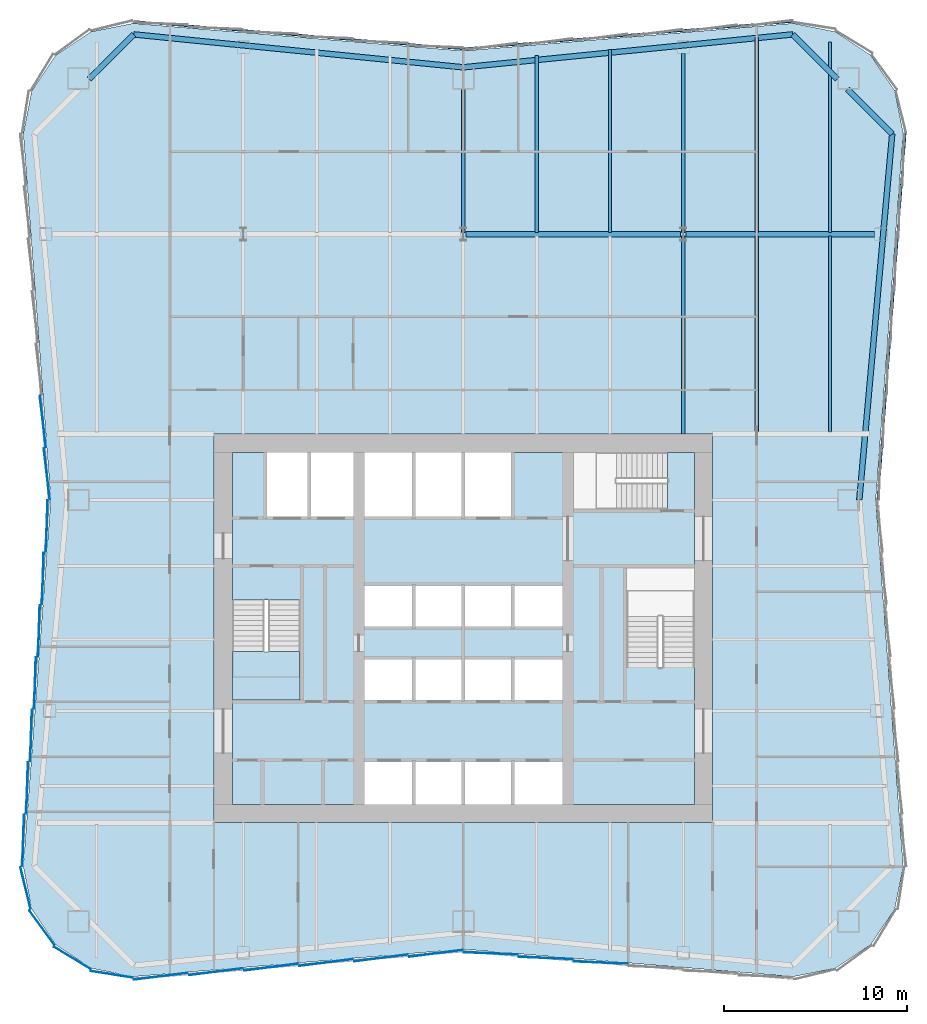
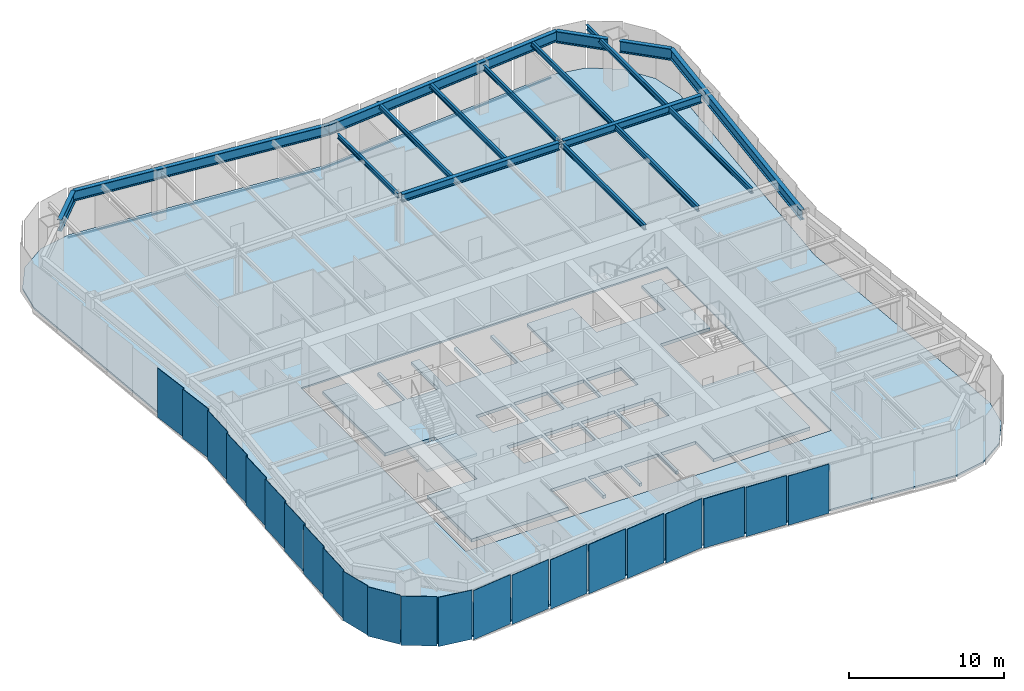
# One storey, part 2 of 8: 22 plates, 17 beams, 3 members, 3 slabs, 6 elements without a shape of their own.
"""IFC4 building model written with IfcOpenShell, lengths in metres."""

from ifc_helpers import new_model, si_unit, direction, frame, origin, origin_2d, place, context, subcontext, project, spatial, polyline, rectangle, i_section, outline, extrude, material, layer, layer_set, material_profile, profile_set, type_object, element, aggregate, save


model = new_model("IFC4")

# Units and contexts
model_context = context("Model", 3, precision=1e-05, world=origin(), true_north=direction((0.0, 1.0)))
body_context = subcontext(model_context, "Body", "Model", "MODEL_VIEW")
ifc_project = project(units=[si_unit("LENGTHUNIT", "METRE"), si_unit("AREAUNIT", "SQUARE_METRE"), si_unit("VOLUMEUNIT", "CUBIC_METRE"), si_unit("PLANEANGLEUNIT", "RADIAN"), si_unit("MASSUNIT", "GRAM", prefix="KILO")], contexts=[model_context])

# Site, building, storey
site_placement = place(None, origin())
site = spatial("IfcSite", under=ifc_project, at=site_placement, CompositionType="ELEMENT")
building_placement = place(site_placement, origin())
building = spatial("IfcBuilding", under=site, at=building_placement, Name="Verdant Reach Tower", CompositionType="ELEMENT")
storey_placement = place(building_placement, frame((0.0, 0.0, 134.0)))
storey = spatial("IfcBuildingStorey", under=building, at=storey_placement, Name="L30", CompositionType="ELEMENT", Elevation=134.0)

# Curtain wall, member
ifc_material_1 = material(Name="Anodised aluminium", Category="aluminium")
curtain_wall_type = type_object("IfcCurtainWallType", Name="EN-CW SYSTEM Z2", PredefinedType="NOTDEFINED", material=ifc_material_1)
curtain_wall_1_placement = place(storey_placement, origin())
curtain_wall_1 = element("IfcCurtainWall", 1, at=curtain_wall_1_placement, inside=storey, type_object=curtain_wall_type, Name="Curtain wall east, L30", PredefinedType="NOTDEFINED")
ifc_material_profile_1 = material_profile(ifc_material_1, rectangle(XDim=0.10009765625, YDim=0.1240234375, at=origin_2d()), Name="Transom 124x100")
ifc_profile_set_1 = profile_set([ifc_material_profile_1], Name="Anodised aluminium")
member_type = type_object("IfcMemberType", Name="EN-TRANSOM Z2", PredefinedType="USERDEFINED", material=ifc_profile_set_1)
member_1_placement = place(storey_placement, frame((22.6083984375, 35.031982421875, -0.2880859375), z_axis=(0.07476111665, 0.997201471839, 0.0), x_axis=(-0.997201471839, 0.07476111665, 0.0)))
member_1 = element("IfcMember", 2, at=member_1_placement, type_object=member_type, Name="Transom east face part 2 1.1, L30", ObjectType="TRANSOM", PredefinedType="USERDEFINED", context=body_context, shape_type="SweptSolid", body=[
    extrude(rectangle(XDim=0.10009765625, YDim=0.1240234375, at=origin_2d()), origin(), (0.0, 0.0, 1.0), 19.99853515625),
])
aggregate(curtain_wall_1, [member_1])

# Curtain wall, members
curtain_wall_2_placement = place(storey_placement, origin())
curtain_wall_2 = element("IfcCurtainWall", 3, at=curtain_wall_2_placement, inside=storey, type_object=curtain_wall_type, Name="Curtain wall north, L30", PredefinedType="NOTDEFINED")
member_2_placement = place(storey_placement, frame((17.97412109375, 61.103271484375, -0.2880859375), z_axis=(-0.996548282776, -0.083015179915, 0.0), x_axis=(0.083015179915, -0.996548282776, 0.0)))
member_2 = element("IfcMember", 4, at=member_2_placement, type_object=member_type, Name="Transom north face part 1 1.1, L30", ObjectType="TRANSOM", PredefinedType="USERDEFINED", context=body_context, shape_type="SweptSolid", body=[
    extrude(rectangle(XDim=0.10009765625, YDim=0.1240234375, at=origin_2d()), origin(), (0.0, 0.0, 1.0), 18.00439453125),
])
member_3_placement = place(storey_placement, frame((-0.031982421875, 59.608642578125, -0.2880859375), z_axis=(-0.996548282776, 0.083015179915, 0.0), x_axis=(-0.083015179915, -0.996548282776, 0.0)))
member_3 = element("IfcMember", 5, at=member_3_placement, type_object=member_type, Name="Transom north face part 2 1.1, L30", ObjectType="TRANSOM", PredefinedType="USERDEFINED", context=body_context, shape_type="SweptSolid", body=[
    extrude(rectangle(XDim=0.10009765625, YDim=0.1240234375, at=origin_2d()), origin(), (0.0, 0.0, 1.0), 18.00439453125),
])
aggregate(curtain_wall_2, [member_2, member_3])

# Beams
ifc_material_2 = material(Name="Steel S355", Category="steel")
ifc_material_profile_2 = material_profile(ifc_material_2, i_section(OverallWidth=0.300048828125, OverallDepth=0.60009765625, WebThickness=0.015380859375, FlangeThickness=0.030029296875, FilletRadius=0.027099609375, at=origin_2d()), Name="HEB 600")
ifc_profile_set_2 = profile_set([ifc_material_profile_2], Name="Steel S355")
beam_type_1 = type_object("IfcBeamType", Name="ST-BEAM-HEB600", PredefinedType="BEAM", material=ifc_profile_set_2)
beam_1_placement = place(storey_placement, frame((0.154052734375, 49.5, 3.570068359375), z_axis=(1.0, 0.0, 0.0), x_axis=(0.0, 1.0, 0.0)))
element("IfcBeam", 6, at=beam_1_placement, inside=storey, type_object=beam_type_1, Name="Row girder, L30", PredefinedType="BEAM", context=body_context, shape_type="SweptSolid", body=[
    extrude(i_section(OverallWidth=0.300048828125, OverallDepth=0.60009765625, WebThickness=0.015380859375, FlangeThickness=0.030029296875, FilletRadius=0.027099609375, at=origin_2d()), origin(), (0.0, 0.0, 1.0), 11.69189453125),
])
beam_2_placement = place(storey_placement, frame((12.154052734375, 49.5, 3.570068359375), z_axis=(1.0, 0.0, 0.0), x_axis=(0.0, 1.0, 0.0)))
element("IfcBeam", 7, at=beam_2_placement, inside=storey, type_object=beam_type_1, Name="Row girder, L30", PredefinedType="BEAM", context=body_context, shape_type="SweptSolid", body=[
    extrude(i_section(OverallWidth=0.300048828125, OverallDepth=0.60009765625, WebThickness=0.015380859375, FlangeThickness=0.030029296875, FilletRadius=0.027099609375, at=origin_2d()), origin(), (0.0, 0.0, 1.0), 10.283447265625),
])
ifc_material_profile_3 = material_profile(ifc_material_2, i_section(OverallWidth=0.169921875, OverallDepth=0.360107421875, WebThickness=0.008056640625, FlangeThickness=0.0126953125, FilletRadius=0.01806640625, at=origin_2d()), Name="IPE 360")
ifc_profile_set_3 = profile_set([ifc_material_profile_3], Name="Steel S355")
beam_type_2 = type_object("IfcBeamType", Name="ST-JOIST-IPE360", PredefinedType="JOIST", material=ifc_profile_set_3)
beam_3_placement = place(storey_placement, frame((0.0, 49.60009765625, 3.68994140625), z_axis=(0.0, 1.0, 0.0), x_axis=(-1.0, 0.0, 0.0)))
element("IfcBeam", 8, at=beam_3_placement, inside=storey, type_object=beam_type_2, Name="Floor joist, L30", PredefinedType="JOIST", context=body_context, shape_type="SweptSolid", body=[
    extrude(i_section(OverallWidth=0.169921875, OverallDepth=0.360107421875, WebThickness=0.008056640625, FlangeThickness=0.0126953125, FilletRadius=0.01806640625, at=origin_2d()), origin(), (0.0, 0.0, 1.0), 7.7998046875),
])
ifc_material_profile_4 = material_profile(ifc_material_2, i_section(OverallWidth=0.179931640625, OverallDepth=0.39990234375, WebThickness=0.008544921875, FlangeThickness=0.013427734375, FilletRadius=0.02099609375, at=origin_2d()), Name="IPE 400")
ifc_profile_set_4 = profile_set([ifc_material_profile_4], Name="Steel S355")
beam_type_3 = type_object("IfcBeamType", Name="ST-JOIST-IPE400", PredefinedType="JOIST", material=ifc_profile_set_4)
beam_4_placement = place(storey_placement, frame((4.0, 49.60009765625, 3.669921875), z_axis=(0.0, 1.0, 0.0), x_axis=(-1.0, 0.0, 0.0)))
element("IfcBeam", 9, at=beam_4_placement, inside=storey, type_object=beam_type_3, Name="Floor joist, L30", PredefinedType="JOIST", context=body_context, shape_type="SweptSolid", body=[
    extrude(i_section(OverallWidth=0.179931640625, OverallDepth=0.39990234375, WebThickness=0.008544921875, FlangeThickness=0.013427734375, FilletRadius=0.02099609375, at=origin_2d()), origin(), (0.0, 0.0, 1.0), 9.631103515625),
])
beam_5_placement = place(storey_placement, frame((8.0, 49.60009765625, 3.669921875), z_axis=(0.0, 1.0, 0.0), x_axis=(-1.0, 0.0, 0.0)))
element("IfcBeam", 10, at=beam_5_placement, inside=storey, type_object=beam_type_3, Name="Floor joist, L30", PredefinedType="JOIST", context=body_context, shape_type="SweptSolid", body=[
    extrude(i_section(OverallWidth=0.179931640625, OverallDepth=0.39990234375, WebThickness=0.008544921875, FlangeThickness=0.013427734375, FilletRadius=0.02099609375, at=origin_2d()), origin(), (0.0, 0.0, 1.0), 9.964599609375),
])
beam_6_placement = place(storey_placement, frame((12.0, 38.60009765625, 3.669921875), z_axis=(0.0, 1.0, 0.0), x_axis=(-1.0, 0.0, 0.0)))
element("IfcBeam", 11, at=beam_6_placement, inside=storey, type_object=beam_type_3, Name="Floor joist, L30", PredefinedType="JOIST", context=body_context, shape_type="SweptSolid", body=[
    extrude(i_section(OverallWidth=0.179931640625, OverallDepth=0.39990234375, WebThickness=0.008544921875, FlangeThickness=0.013427734375, FilletRadius=0.02099609375, at=origin_2d()), origin(), (0.0, 0.0, 1.0), 10.7998046875),
])
beam_7_placement = place(storey_placement, frame((12.0, 49.60009765625, 3.669921875), z_axis=(0.0, 1.0, 0.0), x_axis=(-1.0, 0.0, 0.0)))
element("IfcBeam", 12, at=beam_7_placement, inside=storey, type_object=beam_type_3, Name="Floor joist, L30", PredefinedType="JOIST", context=body_context, shape_type="SweptSolid", body=[
    extrude(i_section(OverallWidth=0.179931640625, OverallDepth=0.39990234375, WebThickness=0.008544921875, FlangeThickness=0.013427734375, FilletRadius=0.02099609375, at=origin_2d()), origin(), (0.0, 0.0, 1.0), 9.75),
])
beam_8_placement = place(storey_placement, frame((16.0, 38.699951171875, 3.669921875), z_axis=(0.0, 1.0, 0.0), x_axis=(-1.0, 0.0, 0.0)))
element("IfcBeam", 13, at=beam_8_placement, inside=storey, type_object=beam_type_3, Name="Floor joist, L30", PredefinedType="JOIST", context=body_context, shape_type="SweptSolid", body=[
    extrude(i_section(OverallWidth=0.179931640625, OverallDepth=0.39990234375, WebThickness=0.008544921875, FlangeThickness=0.013427734375, FilletRadius=0.02099609375, at=origin_2d()), origin(), (0.0, 0.0, 1.0), 10.699951171875),
])
beam_9_placement = place(storey_placement, frame((16.0, 49.60009765625, 3.669921875), z_axis=(0.0, 1.0, 0.0), x_axis=(-1.0, 0.0, 0.0)))
element("IfcBeam", 14, at=beam_9_placement, inside=storey, type_object=beam_type_3, Name="Floor joist, L30", PredefinedType="JOIST", context=body_context, shape_type="SweptSolid", body=[
    extrude(i_section(OverallWidth=0.179931640625, OverallDepth=0.39990234375, WebThickness=0.008544921875, FlangeThickness=0.013427734375, FilletRadius=0.02099609375, at=origin_2d()), origin(), (0.0, 0.0, 1.0), 10.631103515625),
])
beam_10_placement = place(storey_placement, frame((20.0, 38.699951171875, 3.669921875), z_axis=(0.0, 1.0, 0.0), x_axis=(-1.0, 0.0, 0.0)))
element("IfcBeam", 15, at=beam_10_placement, inside=storey, type_object=beam_type_3, Name="Floor joist, L30", PredefinedType="JOIST", context=body_context, shape_type="SweptSolid", body=[
    extrude(i_section(OverallWidth=0.179931640625, OverallDepth=0.39990234375, WebThickness=0.008544921875, FlangeThickness=0.013427734375, FilletRadius=0.02099609375, at=origin_2d()), origin(), (0.0, 0.0, 1.0), 10.699951171875),
])
beam_11_placement = place(storey_placement, frame((20.0, 49.60009765625, 3.669921875), z_axis=(0.0, 1.0, 0.0), x_axis=(-1.0, 0.0, 0.0)))
element("IfcBeam", 16, at=beam_11_placement, inside=storey, type_object=beam_type_3, Name="Floor joist, L30", PredefinedType="JOIST", context=body_context, shape_type="SweptSolid", body=[
    extrude(i_section(OverallWidth=0.179931640625, OverallDepth=0.39990234375, WebThickness=0.008544921875, FlangeThickness=0.013427734375, FilletRadius=0.02099609375, at=origin_2d()), origin(), (0.0, 0.0, 1.0), 10.390380859375),
])
ifc_material_profile_5 = material_profile(ifc_material_2, i_section(OverallWidth=0.300048828125, OverallDepth=0.800048828125, WebThickness=0.017578125, FlangeThickness=0.032958984375, FilletRadius=0.030029296875, at=origin_2d()), Name="HEB 800")
ifc_profile_set_5 = profile_set([ifc_material_profile_5], Name="Steel S355")
beam_type_4 = type_object("IfcBeamType", Name="ST-SPANDREL-HEB800", PredefinedType="SPANDREL", material=ifc_profile_set_5)
for number, where, z_axis, x_axis, name in (
    (17, (-17.9658203125, 60.39501953125, 3.469970703125), (0.995046289869, -0.099412680371, 0.0), (0.099412680371, 0.995046289869, 0.0), "Edge beam, L30"),
    (18, (0.0, 58.60009765625, 3.469970703125), (0.995046289869, 0.099412680371, 0.0), (-0.099412680371, 0.995046289869, 0.0), "Edge beam, L30"),
):
    element("IfcBeam", number, at=place(storey_placement, frame(where, z_axis=z_axis, x_axis=x_axis)), inside=storey, type_object=beam_type_4, Name=name, PredefinedType="SPANDREL", context=body_context, shape_type="SweptSolid", body=[
        extrude(i_section(OverallWidth=0.300048828125, OverallDepth=0.800048828125, WebThickness=0.017578125, FlangeThickness=0.032958984375, FilletRadius=0.030029296875, at=origin_2d()), origin(), (0.0, 0.0, 1.0), 18.05517578125),
    ])
beam_12_placement = place(storey_placement, frame((23.3955078125, 54.963134765625, 3.469970703125), z_axis=(-0.089574749266, -0.995980102358, 0.0), x_axis=(0.995980102358, -0.089574749266, 0.0)))
element("IfcBeam", 19, at=beam_12_placement, inside=storey, type_object=beam_type_4, Name="Edge beam, L30", PredefinedType="SPANDREL", context=body_context, shape_type="SweptSolid", body=[
    extrude(i_section(OverallWidth=0.300048828125, OverallDepth=0.800048828125, WebThickness=0.017578125, FlangeThickness=0.032958984375, FilletRadius=0.030029296875, at=origin_2d()), origin(), (0.0, 0.0, 1.0), 20.043701171875),
])
ifc_material_profile_6 = material_profile(ifc_material_2, i_section(OverallWidth=0.302001953125, OverallDepth=0.909912109375, WebThickness=0.02099609375, FlangeThickness=0.0400390625, FilletRadius=0.030029296875, at=origin_2d()), Name="HEM 900")
ifc_profile_set_6 = profile_set([ifc_material_profile_6], Name="Steel S355")
beam_type_5 = type_object("IfcBeamType", Name="ST-SPANDREL-HEM900", PredefinedType="SPANDREL", material=ifc_profile_set_6)
for number, where, z_axis, x_axis, name in (
    (20, (-20.39990234375, 57.9599609375, 3.4150390625), (0.70696494852, 0.70724858541, 0.0), (-0.70724858541, 0.70696494852, 0.0), "Edge beam, L30"),
    (21, (17.9658203125, 60.39501953125, 3.4150390625), (0.70696494852, -0.70724858541, 0.0), (0.70724858541, 0.70696494852, 0.0), "Edge beam, L30"),
):
    element("IfcBeam", number, at=place(storey_placement, frame(where, z_axis=z_axis, x_axis=x_axis)), inside=storey, type_object=beam_type_5, Name=name, PredefinedType="SPANDREL", context=body_context, shape_type="SweptSolid", body=[
        extrude(i_section(OverallWidth=0.302001953125, OverallDepth=0.909912109375, WebThickness=0.02099609375, FlangeThickness=0.0400390625, FilletRadius=0.030029296875, at=origin_2d()), origin(), (0.0, 0.0, 1.0), 3.443115234375),
    ])
beam_13_placement = place(storey_placement, frame((20.959716796875, 57.39990234375, 3.4150390625), z_axis=(0.706965048022, -0.707248485948, 0.0), x_axis=(0.707248485948, 0.706965048022, 0.0)))
element("IfcBeam", 22, at=beam_13_placement, inside=storey, type_object=beam_type_5, Name="Edge beam, L30", PredefinedType="SPANDREL", context=body_context, shape_type="SweptSolid", body=[
    extrude(i_section(OverallWidth=0.302001953125, OverallDepth=0.909912109375, WebThickness=0.02099609375, FlangeThickness=0.0400390625, FilletRadius=0.030029296875, at=origin_2d()), origin(), (0.0, 0.0, 1.0), 3.4453125),
])

# Stair, slab
ifc_material_3 = material(Name="Concrete C40/50", Category="concrete")
stair_type = type_object("IfcStairType", Name="CO-STAIR", PredefinedType="HALF_TURN_STAIR", material=ifc_material_3)
stair_placement = place(storey_placement, origin())
stair = element("IfcStair", 23, at=stair_placement, inside=storey, type_object=stair_type, Name="L30 Exit stair 1", PredefinedType="HALF_TURN_STAIR")
ifc_layer_1 = layer(ifc_material_3, 0.199951171875)
ifc_layer_set_1 = layer_set([ifc_layer_1], Name="CO-STAIR-LANDING")
slab_type_1 = type_object("IfcSlabType", Name="CO-STAIR-LANDING", PredefinedType="LANDING", material=ifc_layer_set_1)
slab_1_placement = place(storey_placement, frame((0.0, 0.0, 1.800048828125)))
slab_1 = element("IfcSlab", 24, at=slab_1_placement, type_object=slab_type_1, Name="ST-1 landing 1", PredefinedType="LANDING", context=body_context, shape_type="SweptSolid", body=[
    extrude(outline(polyline([(-12.60009765625, 26.75), (-12.60009765625, 24.10009765625), (-8.89990234375, 24.10009765625), (-8.89990234375, 26.75), (-12.60009765625, 26.75)])), origin(), (0.0, 0.0, 1.0), 0.199951171875),
])
aggregate(stair, [slab_1])

# Curtain wall, plates
curtain_wall_3_placement = place(storey_placement, origin())
curtain_wall_3 = element("IfcCurtainWall", 25, at=curtain_wall_3_placement, inside=storey, type_object=curtain_wall_type, Name="Curtain wall west, L30", PredefinedType="NOTDEFINED")
ifc_material_4 = material(Name="Tinted glass with champagne spandrel", Category="glass")
ifc_layer_2 = layer(ifc_material_4, 0.031982421875)
ifc_layer_set_2 = layer_set([ifc_layer_2], Name="EN-PANEL CHAMPAGNE")
plate_type_1 = type_object("IfcPlateType", Name="EN-PANEL CHAMPAGNE", PredefinedType="CURTAIN_PANEL", material=ifc_layer_set_2)
plate_1_placement = place(storey_placement, frame((-22.92724609375, 39.27783203125, -0.22607421875), z_axis=(0.0, 0.0, 1.0), x_axis=(0.116482717753, -0.993192718693, 0.0)))
plate_1 = element("IfcPlate", 26, at=plate_1_placement, type_object=plate_type_1, Name="Glass panel west face part 1 6.1, L30", PredefinedType="CURTAIN_PANEL", context=body_context, shape_type="SweptSolid", body=[
    extrude(rectangle(XDim=2.80517578125, YDim=0.031982421875, at=origin_2d()), origin(), (0.0, 0.0, 1.0), 3.8759765625),
])
plate_2_placement = place(storey_placement, frame((-22.712890625, 36.424560546875, -0.22607421875), z_axis=(0.0, 0.0, 1.0), x_axis=(0.116585911919, -0.993180610535, 0.0)))
plate_2 = element("IfcPlate", 27, at=plate_2_placement, type_object=plate_type_1, Name="Glass panel west face part 1 7.1, L30", PredefinedType="CURTAIN_PANEL", context=body_context, shape_type="SweptSolid", body=[
    extrude(rectangle(XDim=2.797119140625, YDim=0.031982421875, at=origin_2d()), origin(), (0.0, 0.0, 1.0), 3.8759765625),
])
plate_3_placement = place(storey_placement, frame((-22.712890625, 33.575439453125, -0.22607421875), z_axis=(0.0, 0.0, 1.0), x_axis=(-0.033069817188, -0.999453044015, 0.0)))
plate_3 = element("IfcPlate", 28, at=plate_3_placement, type_object=plate_type_1, Name="Glass panel west face part 2 1.1, L30", PredefinedType="CURTAIN_PANEL", context=body_context, shape_type="SweptSolid", body=[
    extrude(rectangle(XDim=2.797119140625, YDim=0.031982421875, at=origin_2d()), origin(), (0.0, 0.0, 1.0), 3.8759765625),
])
plate_4_placement = place(storey_placement, frame((-22.92724609375, 30.72216796875, -0.22607421875), z_axis=(0.0, 0.0, 1.0), x_axis=(-0.032965971753, -0.999456474643, 0.0)))
plate_4 = element("IfcPlate", 29, at=plate_4_placement, type_object=plate_type_1, Name="Glass panel west face part 2 2.1, L30", PredefinedType="CURTAIN_PANEL", context=body_context, shape_type="SweptSolid", body=[
    extrude(rectangle(XDim=2.80517578125, YDim=0.031982421875, at=origin_2d()), origin(), (0.0, 0.0, 1.0), 3.8759765625),
])

curtain_wall_4_placement = place(storey_placement, origin())
curtain_wall_4 = element("IfcCurtainWall", 30, at=curtain_wall_4_placement, inside=storey, type_object=curtain_wall_type, Name="Curtain wall south, L30", PredefinedType="NOTDEFINED")
plate_5_placement = place(storey_placement, frame((-7.4912109375, 9.769287109375, -0.22607421875), z_axis=(0.0, 0.0, 1.0), x_axis=(0.992194034542, 0.124703639961, 0.0)))
plate_5 = element("IfcPlate", 31, at=plate_5_placement, type_object=plate_type_1, Name="Glass panel south face part 1 4.1, L30", PredefinedType="CURTAIN_PANEL", context=body_context, shape_type="SweptSolid", body=[
    extrude(rectangle(XDim=2.950439453125, YDim=0.031982421875, at=origin_2d()), origin(), (0.0, 0.0, 1.0), 3.8759765625),
])
plate_6_placement = place(storey_placement, frame((-4.4912109375, 10.019287109375, -0.22607421875), z_axis=(0.0, 0.0, 1.0), x_axis=(0.992194034542, 0.124703639961, 0.0)))
plate_6 = element("IfcPlate", 32, at=plate_6_placement, type_object=plate_type_1, Name="Glass panel south face part 1 5.1, L30", PredefinedType="CURTAIN_PANEL", context=body_context, shape_type="SweptSolid", body=[
    extrude(rectangle(XDim=2.950439453125, YDim=0.031982421875, at=origin_2d()), origin(), (0.0, 0.0, 1.0), 3.8759765625),
])

# Plate
ifc_material_5 = material(Name="Tinted glass with copper spandrel", Category="glass")
ifc_layer_3 = layer(ifc_material_5, 0.031982421875)
ifc_layer_set_3 = layer_set([ifc_layer_3], Name="EN-PANEL COPPER")
plate_type_2 = type_object("IfcPlateType", Name="EN-PANEL COPPER", PredefinedType="CURTAIN_PANEL", material=ifc_layer_set_3)
plate_7_placement = place(storey_placement, frame((-23.141357421875, 27.864990234375, -0.22607421875), z_axis=(0.0, 0.0, 1.0), x_axis=(-0.032965971753, -0.999456474643, 0.0)))
plate_7 = element("IfcPlate", 33, at=plate_7_placement, type_object=plate_type_2, Name="Glass panel west face part 2 3.1, L30", PredefinedType="CURTAIN_PANEL", context=body_context, shape_type="SweptSolid", body=[
    extrude(rectangle(XDim=2.80517578125, YDim=0.031982421875, at=origin_2d()), origin(), (0.0, 0.0, 1.0), 3.8759765625),
])

plate_8_placement = place(storey_placement, frame((-23.355712890625, 25.0078125, -0.22607421875), z_axis=(0.0, 0.0, 1.0), x_axis=(-0.032965971753, -0.999456474643, 0.0)))
plate_8 = element("IfcPlate", 34, at=plate_8_placement, type_object=plate_type_2, Name="Glass panel west face part 2 4.1, L30", PredefinedType="CURTAIN_PANEL", context=body_context, shape_type="SweptSolid", body=[
    extrude(rectangle(XDim=2.80517578125, YDim=0.031982421875, at=origin_2d()), origin(), (0.0, 0.0, 1.0), 3.8759765625),
])

# Curtain wall, plates
curtain_wall_5_placement = place(storey_placement, origin())
curtain_wall_5 = element("IfcCurtainWall", 35, at=curtain_wall_5_placement, inside=storey, type_object=curtain_wall_type, Name="Curtain wall south-west corner, L30", PredefinedType="NOTDEFINED")
plate_9_placement = place(storey_placement, frame((-23.87353515625, 13.828369140625, -0.22607421875), z_axis=(0.0, 0.0, 1.0), x_axis=(0.236416170006, -0.971651889598, 0.0)))
plate_9 = element("IfcPlate", 36, at=plate_9_placement, type_object=plate_type_2, Name="Glass panel south-west corner 1.1, L30", PredefinedType="CURTAIN_PANEL", context=body_context, shape_type="SweptSolid", body=[
    extrude(rectangle(XDim=2.316162109375, YDim=0.031982421875, at=origin_2d()), origin(), (0.0, 0.0, 1.0), 3.8759765625),
])
plate_10_placement = place(storey_placement, frame((-22.9794921875, 11.6728515625, -0.22607421875), z_axis=(0.0, 0.0, 1.0), x_axis=(0.589926757843, -0.807456760688, 0.0)))
plate_10 = element("IfcPlate", 37, at=plate_10_placement, type_object=plate_type_2, Name="Glass panel south-west corner 2.1, L30", PredefinedType="CURTAIN_PANEL", context=body_context, shape_type="SweptSolid", body=[
    extrude(rectangle(XDim=2.322509765625, YDim=0.031982421875, at=origin_2d()), origin(), (0.0, 0.0, 1.0), 3.8759765625),
])
plate_11_placement = place(storey_placement, frame((-21.3271484375, 10.0205078125, -0.22607421875), z_axis=(0.0, 0.0, 1.0), x_axis=(0.853988694998, -0.520291561353, 0.0)))
plate_11 = element("IfcPlate", 38, at=plate_11_placement, type_object=plate_type_2, Name="Glass panel south-west corner 3.1, L30", PredefinedType="CURTAIN_PANEL", context=body_context, shape_type="SweptSolid", body=[
    extrude(rectangle(XDim=2.322509765625, YDim=0.031982421875, at=origin_2d()), origin(), (0.0, 0.0, 1.0), 3.8759765625),
])

# Plate
plate_12_placement = place(storey_placement, frame((-1.49560546875, 10.269287109375, -0.22607421875), z_axis=(0.0, 0.0, 1.0), x_axis=(0.992178815188, 0.12482467181, 0.0)))
plate_12 = element("IfcPlate", 39, at=plate_12_placement, type_object=plate_type_2, Name="Glass panel south face part 1 6.1, L30", PredefinedType="CURTAIN_PANEL", context=body_context, shape_type="SweptSolid", body=[
    extrude(rectangle(XDim=2.941650390625, YDim=0.031982421875, at=origin_2d()), origin(), (0.0, 0.0, 1.0), 3.8759765625),
])

plate_13_placement = place(storey_placement, frame((1.49560546875, 10.269287109375, -0.22607421875), z_axis=(0.0, 0.0, 1.0), x_axis=(0.999144163765, -0.041363510662, 0.0)))
plate_13 = element("IfcPlate", 40, at=plate_13_placement, type_object=plate_type_2, Name="Glass panel south face part 2 1.1, L30", PredefinedType="CURTAIN_PANEL", context=body_context, shape_type="SweptSolid", body=[
    extrude(rectangle(XDim=2.941650390625, YDim=0.031982421875, at=origin_2d()), origin(), (0.0, 0.0, 1.0), 3.8759765625),
])

plate_14_placement = place(storey_placement, frame((4.4912109375, 10.019287109375, -0.22607421875), z_axis=(0.0, 0.0, 1.0), x_axis=(0.999149202059, -0.041241629766, 0.0)))
plate_14 = element("IfcPlate", 41, at=plate_14_placement, type_object=plate_type_2, Name="Glass panel south face part 2 2.1, L30", PredefinedType="CURTAIN_PANEL", context=body_context, shape_type="SweptSolid", body=[
    extrude(rectangle(XDim=2.950439453125, YDim=0.031982421875, at=origin_2d()), origin(), (0.0, 0.0, 1.0), 3.8759765625),
])

ifc_material_6 = material(Name="Tinted glass with dark bronze spandrel", Category="glass")
ifc_layer_4 = layer(ifc_material_6, 0.031982421875)
ifc_layer_set_4 = layer_set([ifc_layer_4], Name="EN-PANEL DARK")
plate_type_3 = type_object("IfcPlateType", Name="EN-PANEL DARK", PredefinedType="CURTAIN_PANEL", material=ifc_layer_set_4)
plate_15_placement = place(storey_placement, frame((-23.570068359375, 22.15087890625, -0.22607421875), z_axis=(0.0, 0.0, 1.0), x_axis=(-0.032965971753, -0.999456474643, 0.0)))
plate_15 = element("IfcPlate", 42, at=plate_15_placement, type_object=plate_type_3, Name="Glass panel west face part 2 5.1, L30", PredefinedType="CURTAIN_PANEL", context=body_context, shape_type="SweptSolid", body=[
    extrude(rectangle(XDim=2.80517578125, YDim=0.031982421875, at=origin_2d()), origin(), (0.0, 0.0, 1.0), 3.8759765625),
])

plate_16_placement = place(storey_placement, frame((-23.7841796875, 19.293701171875, -0.22607421875), z_axis=(0.0, 0.0, 1.0), x_axis=(-0.032965971753, -0.999456474643, 0.0)))
plate_16 = element("IfcPlate", 43, at=plate_16_placement, type_object=plate_type_3, Name="Glass panel west face part 2 6.1, L30", PredefinedType="CURTAIN_PANEL", context=body_context, shape_type="SweptSolid", body=[
    extrude(rectangle(XDim=2.80517578125, YDim=0.031982421875, at=origin_2d()), origin(), (0.0, 0.0, 1.0), 3.8759765625),
])

plate_17_placement = place(storey_placement, frame((-23.99853515625, 16.42919921875, -0.22607421875), z_axis=(0.0, 0.0, 1.0), x_axis=(-0.032628234484, -0.99946755741, 0.0)))
plate_17 = element("IfcPlate", 44, at=plate_17_placement, type_object=plate_type_3, Name="Glass panel west face part 2 7.1, L30", PredefinedType="CURTAIN_PANEL", context=body_context, shape_type="SweptSolid", body=[
    extrude(rectangle(XDim=2.819580078125, YDim=0.031982421875, at=origin_2d()), origin(), (0.0, 0.0, 1.0), 3.8759765625),
])

aggregate(curtain_wall_3, [plate_1, plate_2, plate_3, plate_4, plate_7, plate_8, plate_15, plate_16, plate_17])

plate_18_placement = place(storey_placement, frame((-19.17138671875, 9.12646484375, -0.22607421875), z_axis=(0.0, 0.0, 1.0), x_axis=(0.988030887576, -0.154256167447, 0.0)))
plate_18 = element("IfcPlate", 45, at=plate_18_placement, type_object=plate_type_3, Name="Glass panel south-west corner 4.1, L30", PredefinedType="CURTAIN_PANEL", context=body_context, shape_type="SweptSolid", body=[
    extrude(rectangle(XDim=2.31640625, YDim=0.031982421875, at=origin_2d()), origin(), (0.0, 0.0, 1.0), 3.8759765625),
])

aggregate(curtain_wall_5, [plate_9, plate_10, plate_11, plate_18])

plate_19_placement = place(storey_placement, frame((-16.49853515625, 9.019287109375, -0.22607421875), z_axis=(0.0, 0.0, 1.0), x_axis=(0.992236570309, 0.124364739946, 0.0)))
plate_19 = element("IfcPlate", 46, at=plate_19_placement, type_object=plate_type_3, Name="Glass panel south face part 1 1.1, L30", PredefinedType="CURTAIN_PANEL", context=body_context, shape_type="SweptSolid", body=[
    extrude(rectangle(XDim=2.965087890625, YDim=0.031982421875, at=origin_2d()), origin(), (0.0, 0.0, 1.0), 3.8759765625),
])

plate_20_placement = place(storey_placement, frame((-13.4912109375, 9.269287109375, -0.22607421875), z_axis=(0.0, 0.0, 1.0), x_axis=(0.992194034542, 0.124703639961, 0.0)))
plate_20 = element("IfcPlate", 47, at=plate_20_placement, type_object=plate_type_3, Name="Glass panel south face part 1 2.1, L30", PredefinedType="CURTAIN_PANEL", context=body_context, shape_type="SweptSolid", body=[
    extrude(rectangle(XDim=2.950439453125, YDim=0.031982421875, at=origin_2d()), origin(), (0.0, 0.0, 1.0), 3.8759765625),
])

plate_21_placement = place(storey_placement, frame((-10.4912109375, 9.519287109375, -0.22607421875), z_axis=(0.0, 0.0, 1.0), x_axis=(0.992194034542, 0.124703639961, 0.0)))
plate_21 = element("IfcPlate", 48, at=plate_21_placement, type_object=plate_type_3, Name="Glass panel south face part 1 3.1, L30", PredefinedType="CURTAIN_PANEL", context=body_context, shape_type="SweptSolid", body=[
    extrude(rectangle(XDim=2.950439453125, YDim=0.031982421875, at=origin_2d()), origin(), (0.0, 0.0, 1.0), 3.8759765625),
])

plate_22_placement = place(storey_placement, frame((7.4912109375, 9.769287109375, -0.22607421875), z_axis=(0.0, 0.0, 1.0), x_axis=(0.999149202059, -0.041241629766, 0.0)))
plate_22 = element("IfcPlate", 49, at=plate_22_placement, type_object=plate_type_3, Name="Glass panel south face part 2 3.1, L30", PredefinedType="CURTAIN_PANEL", context=body_context, shape_type="SweptSolid", body=[
    extrude(rectangle(XDim=2.950439453125, YDim=0.031982421875, at=origin_2d()), origin(), (0.0, 0.0, 1.0), 3.8759765625),
])

aggregate(curtain_wall_4, [plate_19, plate_20, plate_21, plate_5, plate_6, plate_12, plate_13, plate_14, plate_22])

# Slabs
ifc_material_7 = material(Name="Concrete C35/45", Category="concrete")
ifc_layer_5 = layer(ifc_material_7, 0.1298828125)
ifc_layer_set_5 = layer_set([ifc_layer_5], Name="ST-SLAB-130")
slab_type_2 = type_object("IfcSlabType", Name="ST-SLAB-130", PredefinedType="FLOOR", material=ifc_layer_set_5)
slab_2_placement = place(storey_placement, frame((0.0, 0.0, -0.1298828125)))
element("IfcSlab", 50, at=slab_2_placement, inside=storey, type_object=slab_type_2, Name="Floor slab L30", PredefinedType="FLOOR", context=body_context, shape_type="SweptSolid", body=[
    extrude(outline(polyline([(0.0, 10.5), (-18.0, 9.0), (-20.296142578125, 9.456787109375), (-22.24267578125, 10.75732421875), (-23.543212890625, 12.703857421875), (-24.0, 15.0), (-22.5, 35.0), (-24.0, 55.0), (-23.543212890625, 57.296142578125), (-22.24267578125, 59.24267578125), (-20.296142578125, 60.543212890625), (-18.0, 61.0), (0.0, 59.5), (18.0, 61.0), (20.296142578125, 60.543212890625), (22.24267578125, 59.24267578125), (23.543212890625, 57.296142578125), (24.0, 55.0), (22.5, 35.0), (24.0, 15.0), (23.543212890625, 12.703857421875), (22.24267578125, 10.75732421875), (20.296142578125, 9.456787109375), (18.0, 9.0), (0.0, 10.5)]), holes=[polyline([(13.60009765625, 38.60009765625), (-13.60009765625, 38.60009765625), (-13.60009765625, 17.39990234375), (13.60009765625, 17.39990234375), (13.60009765625, 38.60009765625)])]), origin(), (0.0, 0.0, 1.0), 0.1298828125),
])
ifc_layer_6 = layer(ifc_material_7, 0.25)
ifc_layer_set_6 = layer_set([ifc_layer_6], Name="ST-SLAB-250")
slab_type_3 = type_object("IfcSlabType", Name="ST-SLAB-250", PredefinedType="FLOOR", material=ifc_layer_set_6)
slab_3_placement = place(storey_placement, frame((0.0, 0.0, -0.25)))
element("IfcSlab", 51, at=slab_3_placement, inside=storey, type_object=slab_type_3, Name="Core floor slab L30", PredefinedType="FLOOR", context=body_context, shape_type="SweptSolid", body=[
    extrude(outline(polyline([(12.60009765625, 18.39990234375), (5.39990234375, 18.39990234375), (5.39990234375, 20.699951171875), (2.800048828125, 20.699951171875), (2.800048828125, 18.39990234375), (2.60009765625, 18.39990234375), (2.60009765625, 20.699951171875), (0.10009765625, 20.699951171875), (0.10009765625, 18.39990234375), (-0.10009765625, 18.39990234375), (-0.10009765625, 20.699951171875), (-2.60009765625, 20.699951171875), (-2.60009765625, 18.39990234375), (-2.800048828125, 18.39990234375), (-2.800048828125, 20.699951171875), (-5.39990234375, 20.699951171875), (-5.39990234375, 18.39990234375), (-12.60009765625, 18.39990234375), (-12.60009765625, 24.10009765625), (-8.89990234375, 24.10009765625), (-8.89990234375, 29.548095703125), (-12.60009765625, 29.548095703125), (-12.60009765625, 37.60009765625), (-10.699951171875, 37.60009765625), (-10.699951171875, 34.10009765625), (-8.5, 34.10009765625), (-8.5, 37.60009765625), (-8.300048828125, 37.60009765625), (-8.300048828125, 34.10009765625), (-6.0, 34.10009765625), (-6.0, 37.60009765625), (-5.39990234375, 37.60009765625), (-5.39990234375, 34.10009765625), (-2.800048828125, 34.10009765625), (-2.800048828125, 37.60009765625), (-2.60009765625, 37.60009765625), (-2.60009765625, 34.10009765625), (-0.10009765625, 34.10009765625), (-0.10009765625, 37.60009765625), (0.10009765625, 37.60009765625), (0.10009765625, 34.10009765625), (2.60009765625, 34.10009765625), (2.60009765625, 37.60009765625), (6.0, 37.60009765625), (6.0, 34.5), (11.14794921875, 34.5), (11.14794921875, 37.60009765625), (12.60009765625, 37.60009765625), (12.60009765625, 31.300048828125), (8.89990234375, 31.300048828125), (8.89990234375, 25.85205078125), (12.60009765625, 25.85205078125), (12.60009765625, 18.39990234375)]), holes=[polyline([(-2.800048828125, 24.10009765625), (-2.800048828125, 26.300048828125), (-5.39990234375, 26.300048828125), (-5.39990234375, 24.10009765625), (-2.800048828125, 24.10009765625)]), polyline([(-2.60009765625, 24.10009765625), (-0.10009765625, 24.10009765625), (-0.10009765625, 26.300048828125), (-2.60009765625, 26.300048828125), (-2.60009765625, 24.10009765625)]), polyline([(-2.800048828125, 28.10009765625), (-2.800048828125, 30.300048828125), (-5.39990234375, 30.300048828125), (-5.39990234375, 28.10009765625), (-2.800048828125, 28.10009765625)]), polyline([(-0.10009765625, 28.10009765625), (-0.10009765625, 30.300048828125), (-2.60009765625, 30.300048828125), (-2.60009765625, 28.10009765625), (-0.10009765625, 28.10009765625)]), polyline([(2.60009765625, 24.10009765625), (2.60009765625, 26.300048828125), (0.10009765625, 26.300048828125), (0.10009765625, 24.10009765625), (2.60009765625, 24.10009765625)]), polyline([(2.800048828125, 24.10009765625), (5.39990234375, 24.10009765625), (5.39990234375, 26.300048828125), (2.800048828125, 26.300048828125), (2.800048828125, 24.10009765625)]), polyline([(2.60009765625, 28.10009765625), (2.60009765625, 30.300048828125), (0.10009765625, 30.300048828125), (0.10009765625, 28.10009765625), (2.60009765625, 28.10009765625)]), polyline([(5.39990234375, 28.10009765625), (5.39990234375, 30.300048828125), (2.800048828125, 30.300048828125), (2.800048828125, 28.10009765625), (5.39990234375, 28.10009765625)])]), origin(), (0.0, 0.0, 1.0), 0.25),
])

save(model, "model.ifc")
